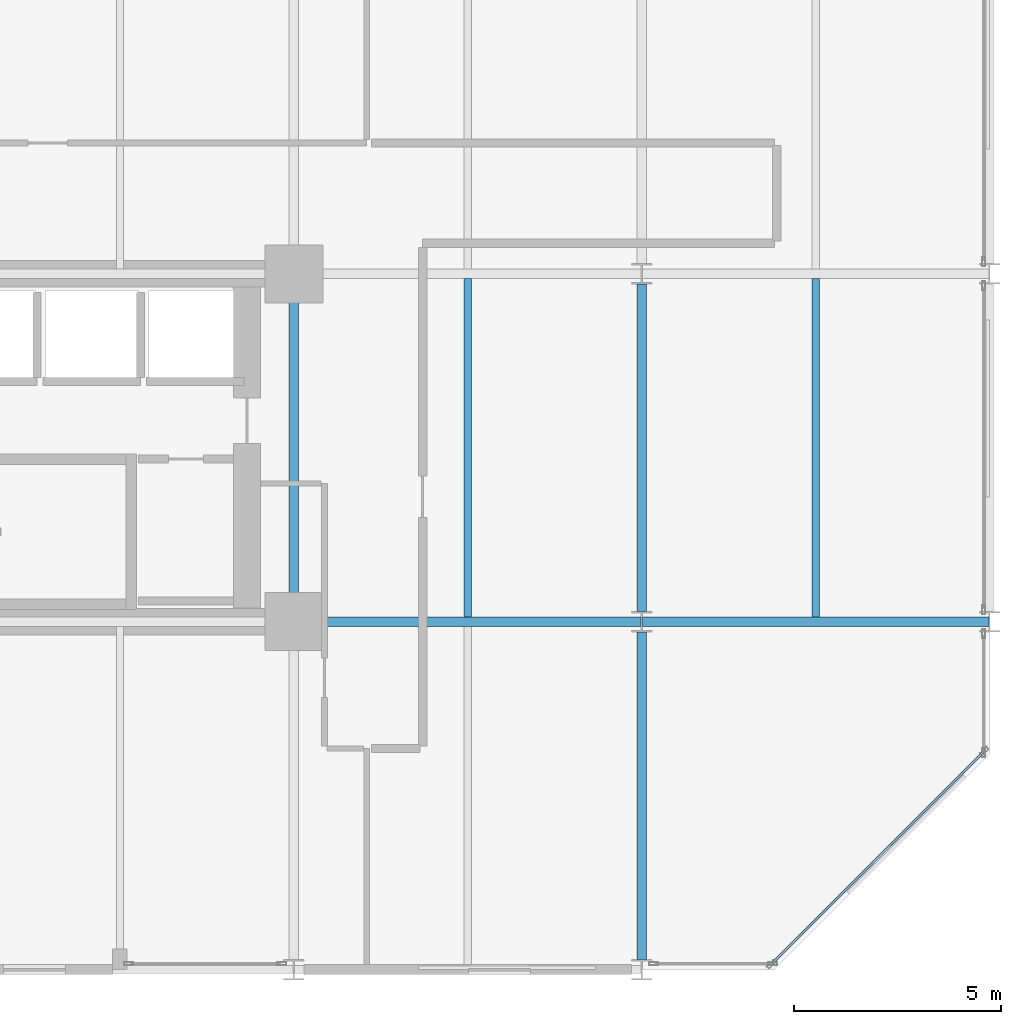
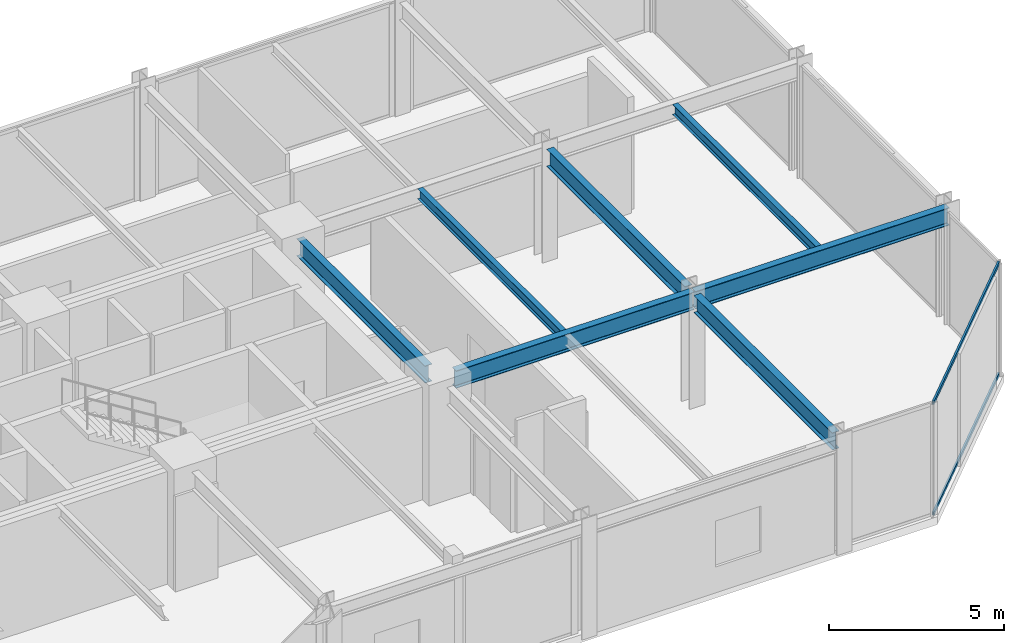
# One storey, part 10 of 24: 7 beams, 2 members, 1 element without a shape of its own.
"""IFC4 building model written with IfcOpenShell, lengths in metres."""

import ifcopenshell
import ifcopenshell.guid

model = None  # the IFC model being written
_history = None  # IfcOwnerHistory: only IFC2X3 demands one
_inside = {}  # id of a spatial element -> (the spatial element, [elements in it])
_under = {}  # id of a project, library or spatial element -> (it, [spatial elements below it])
_declared = {}  # id of a project -> (the project, [libraries it declares])
_typed = {}  # id of a type object -> (the type object, [elements of that type])
_made_of = {}  # id of a material, layer set ... -> (it, [elements and type objects made of it])


def new_model(schema):
    """Start an empty IFC model of exactly this schema.

    Asked for "IFC4X3", IfcOpenShell would pick the latest addendum, in which some entities
    have other attributes; the version numbers below select the first issue.
    IFC2X3 requires an IfcOwnerHistory on every rooted entity: one is made here for all.
    """
    global model, _history
    if schema == "IFC4X3":
        model = ifcopenshell.file(schema_version=(4, 3, 0, 0))
    else:
        model = ifcopenshell.file(schema=schema)
    _inside.clear()
    _under.clear()
    _declared.clear()
    _typed.clear()
    _made_of.clear()
    _history = None
    if model.schema == "IFC2X3":
        org = make("IfcOrganization", Name="unknown")
        user = make(
            "IfcPersonAndOrganization",
            ThePerson=make("IfcPerson", FamilyName="unknown"),
            TheOrganization=org,
        )
        app = make(
            "IfcApplication",
            ApplicationDeveloper=org,
            Version="unknown",
            ApplicationFullName="unknown",
            ApplicationIdentifier="unknown",
        )
        _history = make(
            "IfcOwnerHistory",
            OwningUser=user,
            OwningApplication=app,
            ChangeAction="ADDED",
            CreationDate=0,
        )
    return model


def make(cls, **values):
    """One entity of the class cls with the attributes given. An attribute that is None is left unset."""
    return model.create_entity(
        cls, **{name: value for name, value in values.items() if value is not None}
    )


def rooted(cls, **values):
    """An entity with a GlobalId (a new one), such as an element, a storey or a relation."""
    return make(cls, GlobalId=ifcopenshell.guid.new(), OwnerHistory=_history, **values)


def si_unit(unit_type, name, prefix=None):
    """IfcSIUnit, for example si_unit("LENGTHUNIT", "METRE", prefix="MILLI")."""
    return make("IfcSIUnit", UnitType=unit_type, Prefix=prefix, Name=name)


def assignment(units):
    """IfcUnitAssignment: the units of a project."""
    return None if units is None else make("IfcUnitAssignment", Units=units)


def point(xyz):
    """IfcCartesianPoint."""
    return None if xyz is None else make("IfcCartesianPoint", Coordinates=xyz)


def direction(xyz):
    """IfcDirection."""
    return None if xyz is None else make("IfcDirection", DirectionRatios=xyz)


def frame(location, z_axis=None, x_axis=None):
    """IfcAxis2Placement3D, a coordinate frame: its origin and axes. An axis left out is left unset."""
    return make(
        "IfcAxis2Placement3D",
        Location=point(location),
        Axis=direction(z_axis),
        RefDirection=direction(x_axis),
    )


def frame_2d(location, x_axis=None):
    """IfcAxis2Placement2D, a coordinate frame in the plane: its origin and x axis."""
    return make(
        "IfcAxis2Placement2D", Location=point(location), RefDirection=direction(x_axis)
    )


def origin():
    """The frame at (0, 0, 0) with its axes left unset."""
    return frame((0.0, 0.0, 0.0))


def origin_2d():
    """The frame at (0, 0) in the plane with its x axis left unset."""
    return frame_2d((0.0, 0.0))


def place(relative_to, where):
    """IfcLocalPlacement: puts the frame where relative to a parent placement (None: the world)."""
    return make(
        "IfcLocalPlacement", PlacementRelTo=relative_to, RelativePlacement=where
    )


def context(
    kind, dimensions, precision=None, world=None, true_north=None, identifier=None
):
    """IfcGeometricRepresentationContext, for example the 3D "Model" context."""
    return make(
        "IfcGeometricRepresentationContext",
        ContextIdentifier=identifier,
        ContextType=kind,
        CoordinateSpaceDimension=dimensions,
        Precision=precision,
        WorldCoordinateSystem=world,
        TrueNorth=true_north,
    )


def subcontext(parent, identifier, kind, view, scale=None):
    """IfcGeometricRepresentationSubContext, for example "Body" below "Model"."""
    return make(
        "IfcGeometricRepresentationSubContext",
        ContextIdentifier=identifier,
        ContextType=kind,
        ParentContext=parent,
        TargetScale=scale,
        TargetView=view,
    )


def project(units=None, contexts=None):
    """IfcProject with its units and contexts."""
    return rooted(
        "IfcProject",
        Name="project",
        RepresentationContexts=contexts,
        UnitsInContext=assignment(units),
    )


def spatial(cls, under=None, at=None, **own):
    """A site, building, storey or space (cls), placed at a placement, below another one or the project."""
    s = rooted(cls, ObjectPlacement=at, **own)
    if under is not None:
        _under.setdefault(under.id(), (under, []))[1].append(s)
    return s


def profile(cls, at=None, kind="AREA", **sizes):
    """A parametric profile (cls). Its sizes go by their IFC names, for example OverallWidth=200.0."""
    return make(cls, ProfileType=kind, Position=at, **sizes)


def hollow_rectangle(**sizes):
    """IfcRectangleHollowProfileDef."""
    return profile("IfcRectangleHollowProfileDef", **sizes)


def i_section(**sizes):
    """IfcIShapeProfileDef."""
    return profile("IfcIShapeProfileDef", **sizes)


def extrude(swept, where, along, depth):
    """IfcExtrudedAreaSolid: the profile swept, set in the frame where, extruded along a direction by depth."""
    return make(
        "IfcExtrudedAreaSolid",
        SweptArea=swept,
        Position=where,
        ExtrudedDirection=direction(along),
        Depth=depth,
    )


def shape(context_of_items, identifier, shape_type, items):
    """IfcShapeRepresentation: the items that make up one representation, for example the "Body"."""
    return make(
        "IfcShapeRepresentation",
        ContextOfItems=context_of_items,
        RepresentationIdentifier=identifier,
        RepresentationType=shape_type,
        Items=items,
    )


def material(Name=None, Category=None):
    """IfcMaterial."""
    return make("IfcMaterial", Name=Name, Category=Category)


def layer(
    of_material, thickness, ventilated=None, Name=None, Category=None, Priority=None
):
    """IfcMaterialLayer: one layer of a wall or slab, of a material (None: an air gap)."""
    return make(
        "IfcMaterialLayer",
        Material=of_material,
        LayerThickness=thickness,
        IsVentilated=ventilated,
        Name=Name,
        Category=Category,
        Priority=Priority,
    )


def layer_set(layers, Name=None):
    """IfcMaterialLayerSet."""
    return make("IfcMaterialLayerSet", MaterialLayers=layers, LayerSetName=Name)


def material_profile(
    of_material, cross_section, Name=None, Category=None, Priority=None
):
    """IfcMaterialProfile: a cross section and its material."""
    return make(
        "IfcMaterialProfile",
        Name=Name,
        Material=of_material,
        Profile=cross_section,
        Priority=Priority,
        Category=Category,
    )


def profile_set(profiles, Name=None, composite=None):
    """IfcMaterialProfileSet."""
    return make(
        "IfcMaterialProfileSet",
        Name=Name,
        MaterialProfiles=profiles,
        CompositeProfile=composite,
    )


def made_of(thing, what):
    """Note that an element or type object is made of a material, layer set ...; save() writes the relation."""
    if what is not None:
        _made_of.setdefault(what.id(), (what, []))[1].append(thing)
    return thing


def type_object(cls, material=None, **own):
    """A type object (cls), such as IfcWallType, which elements share."""
    return made_of(rooted(cls, **own), material)


def element(
    cls,
    number,
    at=None,
    inside=None,
    cuts=None,
    type_object=None,
    material=None,
    context=None,
    identifier="Body",
    shape_type=None,
    held_by="IfcProductDefinitionShape",
    body=None,
    shapes=None,
    **own,
):
    """One element of the class cls, such as IfcWall. Its Tag is "e" and its number.

    at: its placement. inside: the storey or other place that contains it. cuts: it is an
    opening in that element (IfcRelVoidsElement). A single representation is given by context,
    identifier, shape_type and body (its items); several are given by shapes. held_by: the class
    of the entity that holds the representations. save() writes the other relations.
    """
    e = rooted(cls, Tag="e%d" % number, ObjectPlacement=at, **own)
    if body is not None:
        shapes = [shape(context, identifier, shape_type, body)]
    if shapes is not None:
        e.Representation = make(held_by, Representations=shapes)
    if inside is not None:
        _inside.setdefault(inside.id(), (inside, []))[1].append(e)
    if cuts is not None:
        rooted(
            "IfcRelVoidsElement", RelatingBuildingElement=cuts, RelatedOpeningElement=e
        )
    if type_object is not None:
        _typed.setdefault(type_object.id(), (type_object, []))[1].append(e)
    return made_of(e, material)


def aggregate(whole, parts):
    """IfcRelAggregates: a whole, such as a stair, and the parts it consists of."""
    return rooted("IfcRelAggregates", RelatingObject=whole, RelatedObjects=parts)


def save(model, path):
    """Write the relations noted so far, then the file.

    IfcRelAggregates (storeys below a building ...), IfcRelContainedInSpatialStructure (elements
    in a storey), IfcRelDefinesByType, IfcRelAssociatesMaterial and IfcRelDeclares: one each for
    every whole, place, type object, material and project.
    """
    for whole, parts in _under.values():
        aggregate(whole, parts)
    for where, things in _inside.values():
        rooted(
            "IfcRelContainedInSpatialStructure",
            RelatedElements=things,
            RelatingStructure=where,
        )
    for kind, things in _typed.values():
        rooted("IfcRelDefinesByType", RelatedObjects=things, RelatingType=kind)
    for what, things in _made_of.values():
        rooted("IfcRelAssociatesMaterial", RelatedObjects=things, RelatingMaterial=what)
    for by, libraries in _declared.values():
        rooted("IfcRelDeclares", RelatingContext=by, RelatedDefinitions=libraries)
    model.write(path)


model = new_model("IFC4")

# Units and contexts
model_context = context("Model", 3, precision=1e-05, world=origin(), true_north=direction((0.0, 1.0)))
body_context = subcontext(model_context, "Body", "Model", "MODEL_VIEW")
ifc_project = project(units=[si_unit("LENGTHUNIT", "METRE"), si_unit("AREAUNIT", "SQUARE_METRE"), si_unit("VOLUMEUNIT", "CUBIC_METRE"), si_unit("PLANEANGLEUNIT", "RADIAN"), si_unit("MASSUNIT", "GRAM", prefix="KILO")], contexts=[model_context])

# Site, building, storey
site_placement = place(None, origin())
site = spatial("IfcSite", under=ifc_project, at=site_placement, CompositionType="ELEMENT")
building_placement = place(site_placement, origin())
building = spatial("IfcBuilding", under=site, at=building_placement, Name="Nerrivon Quay Data Exchange", CompositionType="ELEMENT")
storey_placement = place(building_placement, frame((0.0, 0.0, 33.199951171875)))
storey = spatial("IfcBuildingStorey", under=building, at=storey_placement, Name="L07", CompositionType="ELEMENT", Elevation=33.199951171875)

# Beams
ifc_material_1 = material(Name="Steel Grade 350", Category="steel")
ifc_material_profile_1 = material_profile(ifc_material_1, i_section(OverallWidth=0.22900390625, OverallDepth=0.612060546875, WebThickness=0.011962890625, FlangeThickness=0.01953125, FilletRadius=0.013916015625, at=origin_2d()), Name="610UB125")
ifc_profile_set_1 = profile_set([ifc_material_profile_1], Name="Steel Grade 350")
beam_type_1 = type_object("IfcBeamType", Name="BM-G1-610UB125", PredefinedType="BEAM", material=ifc_profile_set_1)
beam_1_placement = place(storey_placement, frame((34.139892578125, 8.39990234375, 3.619140625), z_axis=(1.0, 0.0, 0.0), x_axis=(0.0, 1.0, 0.0)))
element("IfcBeam", 1, at=beam_1_placement, inside=storey, type_object=beam_type_1, Name="L07 EW Girder Y=8.4 (33.6..42.0)", PredefinedType="BEAM", context=body_context, shape_type="SweptSolid", body=[
    extrude(i_section(OverallWidth=0.22900390625, OverallDepth=0.612060546875, WebThickness=0.011962890625, FlangeThickness=0.01953125, FilletRadius=0.013916015625, at=origin_2d()), origin(), (0.0, 0.0, 1.0), 7.84619140625),
])
beam_2_placement = place(storey_placement, frame((42.013916015625, 8.39990234375, 3.619140625), z_axis=(1.0, 0.0, 0.0), x_axis=(0.0, 1.0, 0.0)))
element("IfcBeam", 2, at=beam_2_placement, inside=storey, type_object=beam_type_1, Name="L07 EW Girder Y=8.4 (42.0..50.4)", PredefinedType="BEAM", context=body_context, shape_type="SweptSolid", body=[
    extrude(i_section(OverallWidth=0.22900390625, OverallDepth=0.612060546875, WebThickness=0.011962890625, FlangeThickness=0.01953125, FilletRadius=0.013916015625, at=origin_2d()), origin(), (0.0, 0.0, 1.0), 8.3720703125),
])
ifc_material_profile_2 = material_profile(ifc_material_1, i_section(OverallWidth=0.22802734375, OverallDepth=0.60205078125, WebThickness=0.010498046875, FlangeThickness=0.014892578125, FilletRadius=0.013916015625, at=origin_2d()), Name="610UB101")
ifc_profile_set_2 = profile_set([ifc_material_profile_2], Name="Steel Grade 350")
beam_type_2 = type_object("IfcBeamType", Name="BM-G2-610UB101", PredefinedType="BEAM", material=ifc_profile_set_2)
beam_3_placement = place(storey_placement, frame((33.60009765625, 8.93994140625, 3.6240234375), z_axis=(0.0, 1.0, 0.0), x_axis=(-1.0, 0.0, 0.0)))
element("IfcBeam", 3, at=beam_3_placement, inside=storey, type_object=beam_type_2, Name="L07 NS Girder X=33.6 (8.4..16.8)", PredefinedType="BEAM", context=body_context, shape_type="SweptSolid", body=[
    extrude(i_section(OverallWidth=0.22802734375, OverallDepth=0.60205078125, WebThickness=0.010498046875, FlangeThickness=0.014892578125, FilletRadius=0.013916015625, at=origin_2d()), origin(), (0.0, 0.0, 1.0), 7.320068359375),
])
beam_4_placement = place(storey_placement, frame((42.0, 0.25, 3.6240234375), z_axis=(0.0, 1.0, 0.0), x_axis=(-1.0, 0.0, 0.0)))
element("IfcBeam", 4, at=beam_4_placement, inside=storey, type_object=beam_type_2, Name="L07 NS Girder X=42.0 (0.0..8.4)", PredefinedType="BEAM", context=body_context, shape_type="SweptSolid", body=[
    extrude(i_section(OverallWidth=0.22802734375, OverallDepth=0.60205078125, WebThickness=0.010498046875, FlangeThickness=0.014892578125, FilletRadius=0.013916015625, at=origin_2d()), origin(), (0.0, 0.0, 1.0), 7.89990234375),
])
beam_5_placement = place(storey_placement, frame((42.0, 8.64990234375, 3.6240234375), z_axis=(0.0, 1.0, 0.0), x_axis=(-1.0, 0.0, 0.0)))
element("IfcBeam", 5, at=beam_5_placement, inside=storey, type_object=beam_type_2, Name="L07 NS Girder X=42.0 (8.4..16.8)", PredefinedType="BEAM", context=body_context, shape_type="SweptSolid", body=[
    extrude(i_section(OverallWidth=0.22802734375, OverallDepth=0.60205078125, WebThickness=0.010498046875, FlangeThickness=0.014892578125, FilletRadius=0.013916015625, at=origin_2d()), origin(), (0.0, 0.0, 1.0), 7.900146484375),
])
ifc_material_profile_3 = material_profile(ifc_material_1, i_section(OverallWidth=0.172119140625, OverallDepth=0.35888671875, WebThickness=0.008056640625, FlangeThickness=0.012939453125, FilletRadius=0.011474609375, at=origin_2d()), Name="360UB56.7")
ifc_profile_set_3 = profile_set([ifc_material_profile_3], Name="Steel Grade 350")
beam_type_3 = type_object("IfcBeamType", Name="BM-J3-360UB57", PredefinedType="JOIST", material=ifc_profile_set_3)
for number, where, z_axis, x_axis, name in (
    (6, (37.800048828125, 8.514404296875, 3.74560546875), (0.0, 1.0, 0.0), (-1.0, 0.0, 0.0), "L07 Secondary Joist X=37.8 (8.4..16.8)"),
    (7, (46.199951171875, 8.514404296875, 3.74560546875), (0.0, 1.0, 0.0), (-1.0, 0.0, 0.0), "L07 Secondary Joist X=46.2 (8.4..16.8)"),
):
    element("IfcBeam", number, at=place(storey_placement, frame(where, z_axis=z_axis, x_axis=x_axis)), inside=storey, type_object=beam_type_3, Name=name, PredefinedType="JOIST", context=body_context, shape_type="SweptSolid", body=[
        extrude(i_section(OverallWidth=0.172119140625, OverallDepth=0.35888671875, WebThickness=0.008056640625, FlangeThickness=0.012939453125, FilletRadius=0.011474609375, at=origin_2d()), origin(), (0.0, 0.0, 1.0), 8.171142578125),
    ])

# Curtain wall, members
ifc_material_2 = material(Name="Anodised aluminium 6063-T6", Category="aluminium")
ifc_layer = layer(ifc_material_2, 0.219970703125)
ifc_layer_set = layer_set([ifc_layer], Name="Anodised aluminium 6063-T6")
curtain_wall_type = type_object("IfcCurtainWallType", Name="CW-SYS-01", PredefinedType="NOTDEFINED", material=ifc_layer_set)
curtain_wall_placement = place(storey_placement, origin())
curtain_wall = element("IfcCurtainWall", 8, at=curtain_wall_placement, inside=storey, type_object=curtain_wall_type, Name="L07 Unitised Curtain Wall 1", PredefinedType="NOTDEFINED")
ifc_material_profile_4 = material_profile(ifc_material_2, hollow_rectangle(XDim=0.06005859375, YDim=0.1201171875, WallThickness=0.003173828125, at=origin_2d()), Name="ALU-TRAN-120x60")
ifc_profile_set_4 = profile_set([ifc_material_profile_4], Name="Anodised aluminium 6063-T6")
member_type = type_object("IfcMemberType", Name="CWT-120x60", PredefinedType="USERDEFINED", material=ifc_profile_set_4)
member_1_placement = place(storey_placement, frame((50.248046875, 5.245849609375, 0.032470703125), z_axis=(-0.707123726196, -0.707089835771, 0.0), x_axis=(0.707089835771, -0.707123726196, 0.0)))
member_1 = element("IfcMember", 9, at=member_1_placement, type_object=member_type, Name="CW01 transom 1.1", ObjectType="TRANSOM", PredefinedType="USERDEFINED", context=body_context, shape_type="SweptSolid", body=[
    extrude(hollow_rectangle(XDim=0.06005859375, YDim=0.1201171875, WallThickness=0.003173828125, at=origin_2d()), origin(), (0.0, 0.0, 1.0), 7.203857421875),
])
member_2_placement = place(storey_placement, frame((50.248046875, 5.245849609375, 3.892578125), z_axis=(-0.707123726196, -0.707089835771, 0.0), x_axis=(0.707089835771, -0.707123726196, 0.0)))
member_2 = element("IfcMember", 10, at=member_2_placement, type_object=member_type, Name="CW01 transom 1.2", ObjectType="TRANSOM", PredefinedType="USERDEFINED", context=body_context, shape_type="SweptSolid", body=[
    extrude(hollow_rectangle(XDim=0.06005859375, YDim=0.1201171875, WallThickness=0.003173828125, at=origin_2d()), origin(), (0.0, 0.0, 1.0), 7.203857421875),
])
aggregate(curtain_wall, [member_1, member_2])

save(model, "model.ifc")
